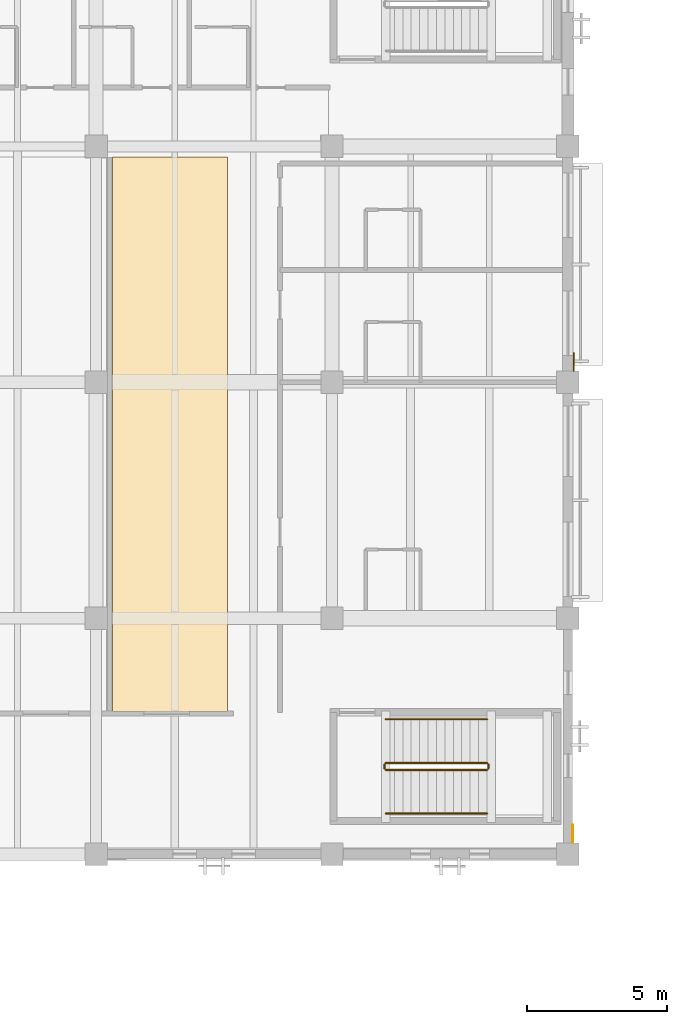
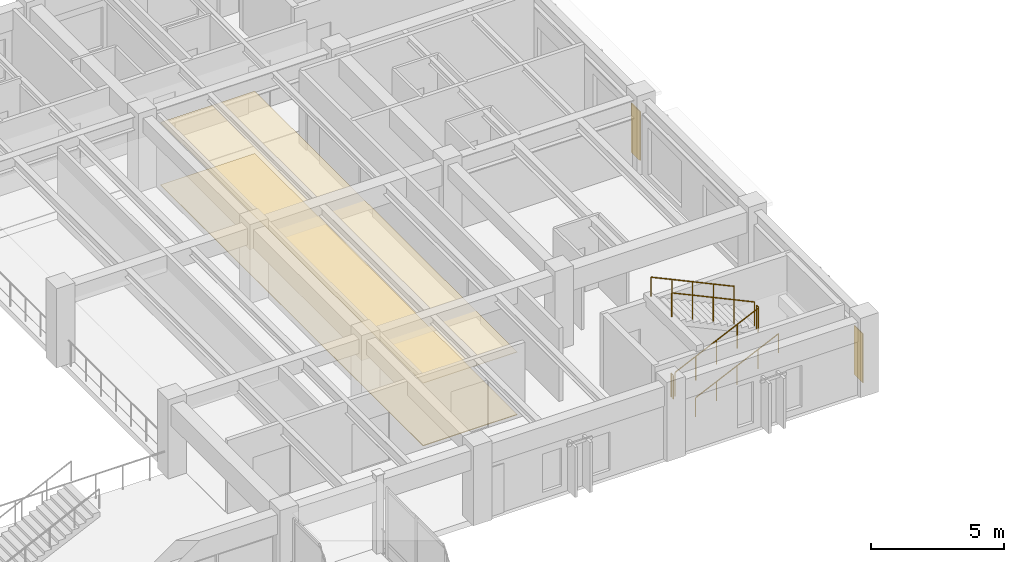
# One storey, part 116 of 118: 6 railings, 4 coverings.
"""IFC4 building model written with IfcOpenShell, lengths in metres."""

from ifc_helpers import new_model, si_unit, direction, frame, origin, origin_2d, place, context, subcontext, project, spatial, polyline, circle, outline, extrude, material, layer, layer_set, type_object, element, save


model = new_model("IFC4")

# Units and contexts
model_context = context("Model", 3, precision=1e-05, world=origin(), true_north=direction((0.0, 1.0)))
body_context = subcontext(model_context, "Body", "Model", "MODEL_VIEW")
ifc_project = project(units=[si_unit("LENGTHUNIT", "METRE"), si_unit("AREAUNIT", "SQUARE_METRE"), si_unit("VOLUMEUNIT", "CUBIC_METRE"), si_unit("PLANEANGLEUNIT", "RADIAN"), si_unit("MASSUNIT", "GRAM", prefix="KILO")], contexts=[model_context])

# Site, building, storey
site_placement = place(None, origin())
site = spatial("IfcSite", under=ifc_project, at=site_placement, CompositionType="ELEMENT")
building_placement = place(site_placement, origin())
building = spatial("IfcBuilding", under=site, at=building_placement, Name="Cumbredor Promenade Congress Hotel", CompositionType="ELEMENT")
storey_placement = place(building_placement, frame((0.0, 0.0, 3.919921875)))
storey = spatial("IfcBuildingStorey", under=building, at=storey_placement, Name="L01", CompositionType="ELEMENT", Elevation=3.919921875)

# Coverings
ifc_material_1 = material(Name="Acoustic mineral-fiber and gypsum ceiling")
ifc_layer_1 = layer(ifc_material_1, 0.02197265625, Name="Acoustic mineral-fiber and gypsum ceiling")
ifc_layer_set_1 = layer_set([ifc_layer_1], Name="Acoustic mineral-fiber and gypsum ceiling")
covering_type_1 = type_object("IfcCoveringType", Name="Acoustic Perforated Gypsum Ceiling CLG-02 22mm", PredefinedType="CEILING", material=ifc_layer_set_1)
covering_1_placement = place(storey_placement, frame((0.0, 0.0, 2.8759765625)))
element("IfcCovering", 1, at=covering_1_placement, inside=storey, type_object=covering_type_1, Name="L01 East Breakout Seminar Suite 5 Acoustic Ceiling", PredefinedType="CEILING", context=body_context, shape_type="SweptSolid", body=[
    extrude(outline(polyline([(160.179931640625, 89.080078125), (160.179931640625, 108.820068359375), (164.27001953125, 108.820068359375), (164.27001953125, 89.080078125), (160.179931640625, 89.080078125)])), origin(), (0.0, 0.0, 1.0), 0.022216796875),
])
ifc_material_2 = material(Name="Precast concrete C40/50", Category="concrete")
ifc_layer_2 = layer(ifc_material_2, 0.044921875, Name="Precast concrete C40/50", Category="concrete")
ifc_layer_set_2 = layer_set([ifc_layer_2], Name="Precast concrete C40/50")
covering_type_2 = type_object("IfcCoveringType", Name="Board-Formed Architectural Cladding Panel 45mm", PredefinedType="CLADDING", material=ifc_layer_set_2)
covering_2_placement = place(storey_placement, origin())
element("IfcCovering", 2, at=covering_2_placement, inside=storey, type_object=covering_type_2, Name="L01 Facade Stone Cladding Pier 080", PredefinedType="CLADDING", context=body_context, shape_type="SweptSolid", body=[
    extrude(outline(polyline([(176.590087890625, 101.200927734375), (176.590087890625, 101.85107421875), (176.635009765625, 101.85107421875), (176.635009765625, 101.200927734375), (176.590087890625, 101.200927734375)])), origin(), (0.0, 0.0, 1.0), 2.25),
])

# Railings
ifc_material_3 = material(Name="Brushed stainless steel", Category="steel")
railing_type_1 = type_object("IfcRailingType", Name="Interior Void & Stair Guardrail GR-1100", PredefinedType="GUARDRAIL", material=ifc_material_3)
railing_1_placement = place(storey_placement, frame((169.919921875, 87.0, 0.14013671875)))
element("IfcRailing", 3, at=railing_1_placement, inside=storey, type_object=railing_type_1, Name="L01 ST-14 stair guard 1", PredefinedType="GUARDRAIL", context=body_context, shape_type="SweptSolid", body=[
    extrude(circle(Radius=0.02392578125, at=origin_2d()), frame((0.0, 0.0, 1.09619140625), z_axis=(0.906194129559, 0.0, 0.422861915468), x_axis=(0.0, 1.0, 0.0)), (0.0, 0.0, 1.0), 3.97265625),
    extrude(circle(Radius=0.02099609375, at=origin_2d()), origin(), (0.0, 0.0, 1.0), 1.072021484375),
    extrude(circle(Radius=0.02099609375, at=origin_2d()), frame((0.89990234375, 0.0, 0.419921875)), (0.0, 0.0, 1.0), 1.072021484375),
    extrude(circle(Radius=0.02099609375, at=origin_2d()), frame((1.800048828125, 0.0, 0.83984375)), (0.0, 0.0, 1.0), 1.072021484375),
    extrude(circle(Radius=0.02099609375, at=origin_2d()), frame((2.7001953125, 0.0, 1.260009765625)), (0.0, 0.0, 1.0), 1.072021484375),
    extrude(circle(Radius=0.02099609375, at=origin_2d()), frame((3.60009765625, 0.0, 1.679931640625)), (0.0, 0.0, 1.0), 1.072021484375),
])
railing_2_placement = place(storey_placement, frame((173.570068359375, 87.050048828125, 1.820068359375)))
element("IfcRailing", 4, at=railing_2_placement, inside=storey, type_object=railing_type_1, Name="L01 ST-14 stair guard 2", PredefinedType="GUARDRAIL", context=body_context, shape_type="SweptSolid", body=[
    extrude(circle(Radius=0.02392578125, at=origin_2d()), frame((0.0, 0.0, 1.09619140625), z_axis=(0.0, 1.0, 0.0), x_axis=(-1.0, 0.0, 0.0)), (0.0, 0.0, 1.0), 0.14990234375),
    extrude(circle(Radius=0.02099609375, at=origin_2d()), origin(), (0.0, 0.0, 1.0), 1.072021484375),
    extrude(circle(Radius=0.02099609375, at=origin_2d()), frame((0.0, 0.14990234375, 0.0)), (0.0, 0.0, 1.0), 1.072021484375),
])
railing_3_placement = place(storey_placement, frame((173.52001953125, 87.25, 1.9599609375)))
element("IfcRailing", 5, at=railing_3_placement, inside=storey, type_object=railing_type_1, Name="L01 ST-14 stair guard 3", PredefinedType="GUARDRAIL", context=body_context, shape_type="SweptSolid", body=[
    extrude(circle(Radius=0.02392578125, at=origin_2d()), frame((0.0, 0.0, 1.09619140625), z_axis=(-0.906170580071, 0.0, 0.422912378411), x_axis=(0.0, -1.0, 0.0)), (0.0, 0.0, 1.0), 3.972900390625),
    extrude(circle(Radius=0.02099609375, at=origin_2d()), origin(), (0.0, 0.0, 1.0), 1.072021484375),
    extrude(circle(Radius=0.02099609375, at=origin_2d()), frame((-0.89990234375, 0.0, 0.419921875)), (0.0, 0.0, 1.0), 1.072021484375),
    extrude(circle(Radius=0.02099609375, at=origin_2d()), frame((-1.800048828125, 0.0, 0.840087890625)), (0.0, 0.0, 1.0), 1.072021484375),
    extrude(circle(Radius=0.02099609375, at=origin_2d()), frame((-2.7001953125, 0.0, 1.26025390625)), (0.0, 0.0, 1.0), 1.072021484375),
    extrude(circle(Radius=0.02099609375, at=origin_2d()), frame((-3.60009765625, 0.0, 1.68017578125)), (0.0, 0.0, 1.0), 1.072021484375),
])
railing_4_placement = place(storey_placement, frame((169.8701171875, 87.050048828125, 0.0)))
element("IfcRailing", 6, at=railing_4_placement, inside=storey, type_object=railing_type_1, Name="L01 ST-14 stair guard 4", PredefinedType="GUARDRAIL", context=body_context, shape_type="SweptSolid", body=[
    extrude(circle(Radius=0.02392578125, at=origin_2d()), frame((0.0, 0.0, 1.09619140625), z_axis=(0.0, 1.0, 0.0), x_axis=(-1.0, 0.0, 0.0)), (0.0, 0.0, 1.0), 0.14990234375),
    extrude(circle(Radius=0.02099609375, at=origin_2d()), origin(), (0.0, 0.0, 1.0), 1.072021484375),
    extrude(circle(Radius=0.02099609375, at=origin_2d()), frame((0.0, 0.14990234375, 0.0)), (0.0, 0.0, 1.0), 1.072021484375),
])

# Covering
ifc_material_4 = material(Name="Porcelain stoneware tile", Category="masonry")
ifc_layer_3 = layer(ifc_material_4, 0.030029296875, Name="Porcelain stoneware tile", Category="masonry")
ifc_layer_set_3 = layer_set([ifc_layer_3], Name="Porcelain stoneware tile")
covering_type_3 = type_object("IfcCoveringType", Name="Porcelain Stoneware Flooring FLR-03 30mm", PredefinedType="FLOORING", material=ifc_layer_set_3)
covering_3_placement = place(storey_placement, origin())
element("IfcCovering", 7, at=covering_3_placement, inside=storey, type_object=covering_type_3, Name="L01 East Breakout Seminar Suite 5 Porcelain Flooring", PredefinedType="FLOORING", context=body_context, shape_type="SweptSolid", body=[
    extrude(outline(polyline([(160.179931640625, 89.080078125), (160.179931640625, 108.820068359375), (164.27001953125, 108.820068359375), (164.27001953125, 89.080078125), (160.179931640625, 89.080078125)])), origin(), (0.0, 0.0, 1.0), 0.030029296875),
])

# Railings
railing_type_2 = type_object("IfcRailingType", Name="Stair Pitch Handrail HR-900", PredefinedType="HANDRAIL", material=ifc_material_3)
railing_5_placement = place(storey_placement, frame((169.919921875, 85.449951171875, 0.14013671875)))
element("IfcRailing", 8, at=railing_5_placement, inside=storey, type_object=railing_type_2, Name="L01 ST-14 stair handrail 1", PredefinedType="HANDRAIL", context=body_context, shape_type="SweptSolid", body=[
    extrude(circle(Radius=0.02392578125, at=origin_2d()), frame((0.0, 0.0, 0.8759765625), z_axis=(0.906194129559, 0.0, 0.422861915468), x_axis=(0.0, 1.0, 0.0)), (0.0, 0.0, 1.0), 3.97265625),
    extrude(circle(Radius=0.02099609375, at=origin_2d()), origin(), (0.0, 0.0, 1.0), 0.851806640625),
    extrude(circle(Radius=0.02099609375, at=origin_2d()), frame((0.89990234375, 0.0, 0.419921875)), (0.0, 0.0, 1.0), 0.851806640625),
    extrude(circle(Radius=0.02099609375, at=origin_2d()), frame((1.800048828125, 0.0, 0.83984375)), (0.0, 0.0, 1.0), 0.851806640625),
    extrude(circle(Radius=0.02099609375, at=origin_2d()), frame((2.7001953125, 0.0, 1.260009765625)), (0.0, 0.0, 1.0), 0.851806640625),
    extrude(circle(Radius=0.02099609375, at=origin_2d()), frame((3.60009765625, 0.0, 1.679931640625)), (0.0, 0.0, 1.0), 0.851806640625),
])
railing_6_placement = place(storey_placement, frame((173.52001953125, 88.800048828125, 1.9599609375)))
element("IfcRailing", 9, at=railing_6_placement, inside=storey, type_object=railing_type_2, Name="L01 ST-14 stair handrail 2", PredefinedType="HANDRAIL", context=body_context, shape_type="SweptSolid", body=[
    extrude(circle(Radius=0.02392578125, at=origin_2d()), frame((0.0, 0.0, 0.8759765625), z_axis=(-0.906170580071, 0.0, 0.422912378411), x_axis=(0.0, -1.0, 0.0)), (0.0, 0.0, 1.0), 3.972900390625),
    extrude(circle(Radius=0.02099609375, at=origin_2d()), origin(), (0.0, 0.0, 1.0), 0.851806640625),
    extrude(circle(Radius=0.02099609375, at=origin_2d()), frame((-0.89990234375, 0.0, 0.419921875)), (0.0, 0.0, 1.0), 0.851806640625),
    extrude(circle(Radius=0.02099609375, at=origin_2d()), frame((-1.800048828125, 0.0, 0.840087890625)), (0.0, 0.0, 1.0), 0.851806640625),
    extrude(circle(Radius=0.02099609375, at=origin_2d()), frame((-2.7001953125, 0.0, 1.26025390625)), (0.0, 0.0, 1.0), 0.851806640625),
    extrude(circle(Radius=0.02099609375, at=origin_2d()), frame((-3.60009765625, 0.0, 1.68017578125)), (0.0, 0.0, 1.0), 0.851806640625),
])

# Covering
ifc_material_5 = material(Name="Volcanic andesite ashlar cladding", Category="masonry")
ifc_layer_4 = layer(ifc_material_5, 0.034912109375, Name="Volcanic andesite ashlar cladding", Category="masonry")
ifc_layer_set_4 = layer_set([ifc_layer_4], Name="Volcanic andesite ashlar cladding")
covering_type_4 = type_object("IfcCoveringType", Name="Volcanic Andesite Ashlar Rainscreen Cladding 35mm", PredefinedType="CLADDING", material=ifc_layer_set_4)
covering_4_placement = place(storey_placement, origin())
element("IfcCovering", 10, at=covering_4_placement, inside=storey, type_object=covering_type_4, Name="L01 Facade Stone Cladding Pier 079", PredefinedType="CLADDING", context=body_context, shape_type="SweptSolid", body=[
    extrude(outline(polyline([(176.5625, 84.40087890625), (176.5625, 85.051025390625), (176.597412109375, 85.051025390625), (176.597412109375, 84.40087890625), (176.5625, 84.40087890625)])), origin(), (0.0, 0.0, 1.0), 2.25),
])

save(model, "model.ifc")
